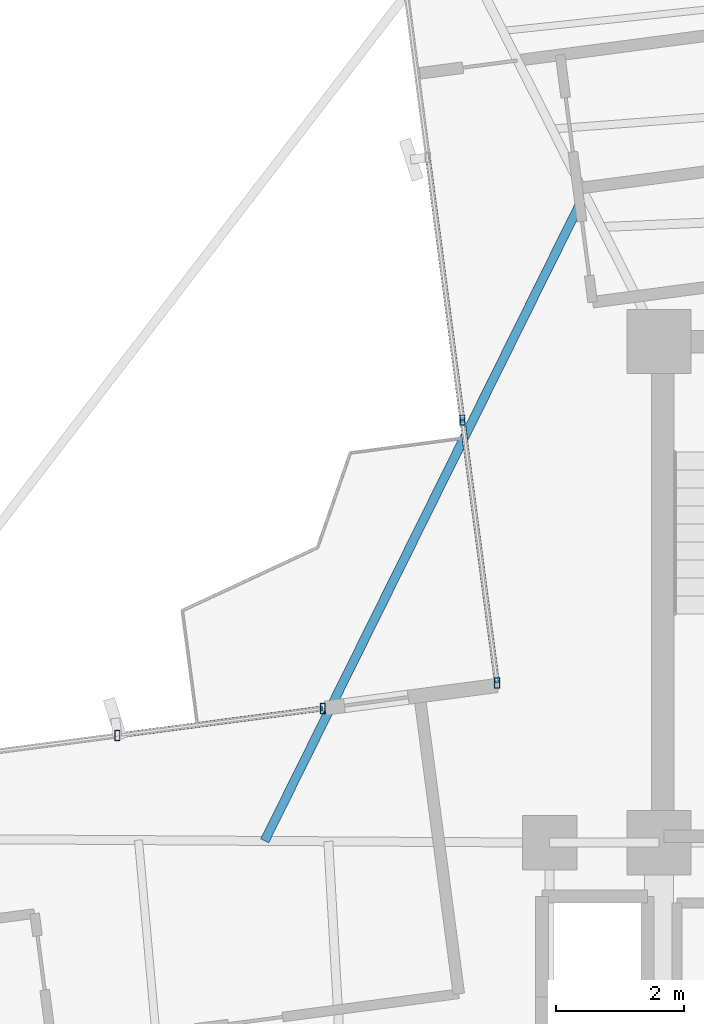
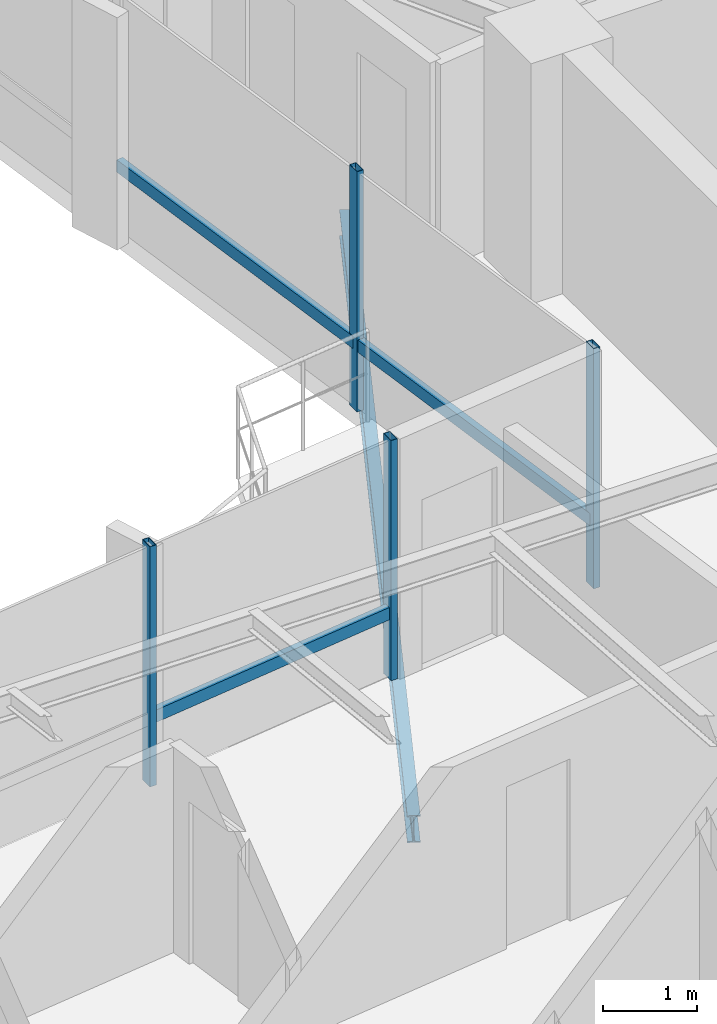
# One storey, part 9 of 22: 7 members, 1 beam, 2 elements without a shape of their own.
"""IFC4 building model written with IfcOpenShell, lengths in metres."""

from ifc_helpers import new_model, si_unit, direction, frame, origin, origin_2d, place, context, subcontext, project, spatial, hollow_rectangle, i_section, extrude, source, transform, mapped, material, material_profile, profile_set, type_object, element, aggregate, save


model = new_model("IFC4")

# Units and contexts
model_context = context("Model", 3, precision=1e-05, world=origin(), true_north=direction((0.0, 1.0)))
body_context = subcontext(model_context, "Body", "Model", "MODEL_VIEW")
ifc_project = project(units=[si_unit("LENGTHUNIT", "METRE"), si_unit("AREAUNIT", "SQUARE_METRE"), si_unit("VOLUMEUNIT", "CUBIC_METRE"), si_unit("PLANEANGLEUNIT", "RADIAN"), si_unit("MASSUNIT", "GRAM", prefix="KILO")], contexts=[model_context])

# Site, building, storey
site_placement = place(None, origin())
site = spatial("IfcSite", under=ifc_project, at=site_placement, CompositionType="ELEMENT")
building_placement = place(site_placement, origin())
building = spatial("IfcBuilding", under=site, at=building_placement, Name="Sahyath Konkavel Grand Hotel", CompositionType="ELEMENT")
storey_placement = place(building_placement, frame((0.0, 0.0, 234.449951171875)))
storey = spatial("IfcBuildingStorey", under=building, at=storey_placement, Name="L65", CompositionType="ELEMENT", Elevation=234.449951171875)

# Curtain wall, members
ifc_material_1 = material(Name="Anodised Bronze Aluminium & Low-E Glazing", Category="aluminium")
curtain_wall_type = type_object("IfcCurtainWallType", Name="CW-ZONE4", PredefinedType="NOTDEFINED", material=ifc_material_1)
curtain_wall_1_placement = place(storey_placement, origin())
curtain_wall_1 = element("IfcCurtainWall", 1, at=curtain_wall_1_placement, inside=storey, type_object=curtain_wall_type, Name="L65 Unitised Curtain Wall F15", PredefinedType="NOTDEFINED")
ifc_material_2 = material(Name="Anodised Bronze Aluminium", Category="aluminium")
ifc_material_profile_1 = material_profile(ifc_material_2, hollow_rectangle(XDim=0.080078125, YDim=0.159912109375, WallThickness=0.006103515625, at=origin_2d()), Name="RHS 160x80x6")
ifc_profile_set_1 = profile_set([ifc_material_profile_1], Name="Anodised Bronze Aluminium")
member_type_1 = type_object("IfcMemberType", Name="CW-MUL-160", PredefinedType="MULLION", material=ifc_profile_set_1)
shared_shape_1 = source(origin(), body_context, "Body", "SweptSolid", [
    extrude(hollow_rectangle(XDim=0.080078125, YDim=0.159912109375, WallThickness=0.006103515625, at=origin_2d()), origin(), (0.0, 0.0, 1.0), 3.110107421875),
])
member_1_placement = place(storey_placement, frame((-6.859130859375, 8.97509765625, 0.0), z_axis=(0.0, 0.0, 1.0), x_axis=(1.0, 0.0, 0.0)))
member_1 = element("IfcMember", 2, at=member_1_placement, type_object=member_type_1, Name="L65 Curtain Wall Mullion F15-2", PredefinedType="MULLION", context=body_context, shape_type="MappedRepresentation", body=[
    mapped(shared_shape_1, transform((0.0, 0.0, 0.0), scale=1.0)),
])
member_2_placement = place(storey_placement, frame((-6.32080078125, 4.8857421875, 0.0), z_axis=(0.0, 0.0, 1.0), x_axis=(1.0, 0.0, 0.0)))
member_2 = element("IfcMember", 3, at=member_2_placement, type_object=member_type_1, Name="L65 Curtain Wall Mullion F15-3", PredefinedType="MULLION", context=body_context, shape_type="MappedRepresentation", body=[
    mapped(shared_shape_1, transform((0.0, 0.0, 0.0), scale=1.0)),
])

curtain_wall_2_placement = place(storey_placement, origin())
curtain_wall_2 = element("IfcCurtainWall", 4, at=curtain_wall_2_placement, inside=storey, type_object=curtain_wall_type, Name="L65 Unitised Curtain Wall F16", PredefinedType="NOTDEFINED")
member_3_placement = place(storey_placement, frame((-9.0322265625, 4.488525390625, 0.0), z_axis=(0.0, 0.0, 1.0), x_axis=(1.0, 0.0, 0.0)))
member_3 = element("IfcMember", 5, at=member_3_placement, type_object=member_type_1, Name="L65 Curtain Wall Mullion F16-0", PredefinedType="MULLION", context=body_context, shape_type="MappedRepresentation", body=[
    mapped(shared_shape_1, transform((0.0, 0.0, 0.0), scale=1.0)),
])
member_4_placement = place(storey_placement, frame((-12.229248046875, 4.067626953125, 0.0), z_axis=(0.0, 0.0, 1.0), x_axis=(1.0, 0.0, 0.0)))
member_4 = element("IfcMember", 6, at=member_4_placement, type_object=member_type_1, Name="L65 Curtain Wall Mullion F16-1", PredefinedType="MULLION", context=body_context, shape_type="MappedRepresentation", body=[
    mapped(shared_shape_1, transform((0.0, 0.0, 0.0), scale=1.0)),
])
ifc_material_profile_2 = material_profile(ifc_material_2, hollow_rectangle(XDim=0.080078125, YDim=0.159912109375, WallThickness=0.006103515625, at=origin_2d()), Name="RHS 160x80x6")
ifc_profile_set_2 = profile_set([ifc_material_profile_2], Name="Anodised Bronze Aluminium")
member_type_2 = type_object("IfcMemberType", Name="CW-TRN-160", PredefinedType="USERDEFINED", material=ifc_profile_set_2)
shared_shape_2 = source(origin(), body_context, "Body", "SweptSolid", [
    extrude(hollow_rectangle(XDim=0.080078125, YDim=0.159912109375, WallThickness=0.006103515625, at=origin_2d()), origin(), (0.0, 0.0, 1.0), 3.224609375),
])
member_5_placement = place(storey_placement, frame((-9.0322265625, 4.488525390625, 0.85009765625), z_axis=(-0.991444758064, -0.13052697693, 0.0), x_axis=(0.13052697693, -0.991444758064, 0.0)))
member_5 = element("IfcMember", 7, at=member_5_placement, type_object=member_type_2, Name="L65 Curtain Wall Transom F16-0-spandrel", ObjectType="TRANSOM", PredefinedType="USERDEFINED", context=body_context, shape_type="MappedRepresentation", body=[
    mapped(shared_shape_2, transform((0.0, 0.0, 0.0), scale=1.0)),
])
aggregate(curtain_wall_2, [member_3, member_4, member_5])

# Member
shared_shape_3 = source(origin(), body_context, "Body", "SweptSolid", [
    extrude(hollow_rectangle(XDim=0.080078125, YDim=0.159912109375, WallThickness=0.006103515625, at=origin_2d()), origin(), (0.0, 0.0, 1.0), 4.124755859375),
])
member_6_placement = place(storey_placement, frame((-7.3974609375, 13.064453125, 0.85009765625), z_axis=(0.130515758099, -0.991446234996, 0.0), x_axis=(0.991446234996, 0.130515758099, 0.0)))
member_6 = element("IfcMember", 8, at=member_6_placement, type_object=member_type_2, Name="L65 Curtain Wall Transom F15-1-spandrel", ObjectType="TRANSOM", PredefinedType="USERDEFINED", context=body_context, shape_type="MappedRepresentation", body=[
    mapped(shared_shape_3, transform((0.0, 0.0, 0.0), scale=1.0)),
])

member_7_placement = place(storey_placement, frame((-6.859130859375, 8.97509765625, 0.85009765625), z_axis=(0.130515758099, -0.991446234996, 0.0), x_axis=(0.991446234996, 0.130515758099, 0.0)))
member_7 = element("IfcMember", 9, at=member_7_placement, type_object=member_type_2, Name="L65 Curtain Wall Transom F15-2-spandrel", ObjectType="TRANSOM", PredefinedType="USERDEFINED", context=body_context, shape_type="MappedRepresentation", body=[
    mapped(shared_shape_3, transform((0.0, 0.0, 0.0), scale=1.0)),
])

aggregate(curtain_wall_1, [member_1, member_2, member_6, member_7])

# Beam
ifc_material_3 = material(Name="Steel E350", Category="steel")
ifc_material_profile_3 = material_profile(ifc_material_3, i_section(OverallWidth=0.139892578125, OverallDepth=0.35009765625, WebThickness=0.008056640625, FlangeThickness=0.01416015625, FilletRadius=0.013916015625, at=origin_2d()), Name="ISMB 350")
ifc_profile_set_3 = profile_set([ifc_material_profile_3], Name="Steel E350")
beam_type = type_object("IfcBeamType", Name="BM-BALC-CANT", PredefinedType="BEAM", material=ifc_profile_set_3)
shared_shape_4 = source(origin(), body_context, "Body", "SweptSolid", [
    extrude(i_section(OverallWidth=0.139892578125, OverallDepth=0.35009765625, WebThickness=0.008056640625, FlangeThickness=0.01416015625, FilletRadius=0.013916015625, at=origin_2d()), origin(), (0.0, 0.0, 1.0), 11.23193359375),
])
beam_placement = place(storey_placement, frame((-4.954345703125, 12.49462890625, -0.4150390625), z_axis=(-0.443549469716, -0.896249891445, 0.0), x_axis=(0.896249891445, -0.443549469716, 0.0)))
element("IfcBeam", 10, at=beam_placement, inside=storey, type_object=beam_type, Name="L65 Balcony Cantilever Support Beam NW", PredefinedType="BEAM", context=body_context, shape_type="MappedRepresentation", body=[
    mapped(shared_shape_4, transform((0.0, 0.0, 0.0), scale=1.0)),
])

save(model, "model.ifc")
